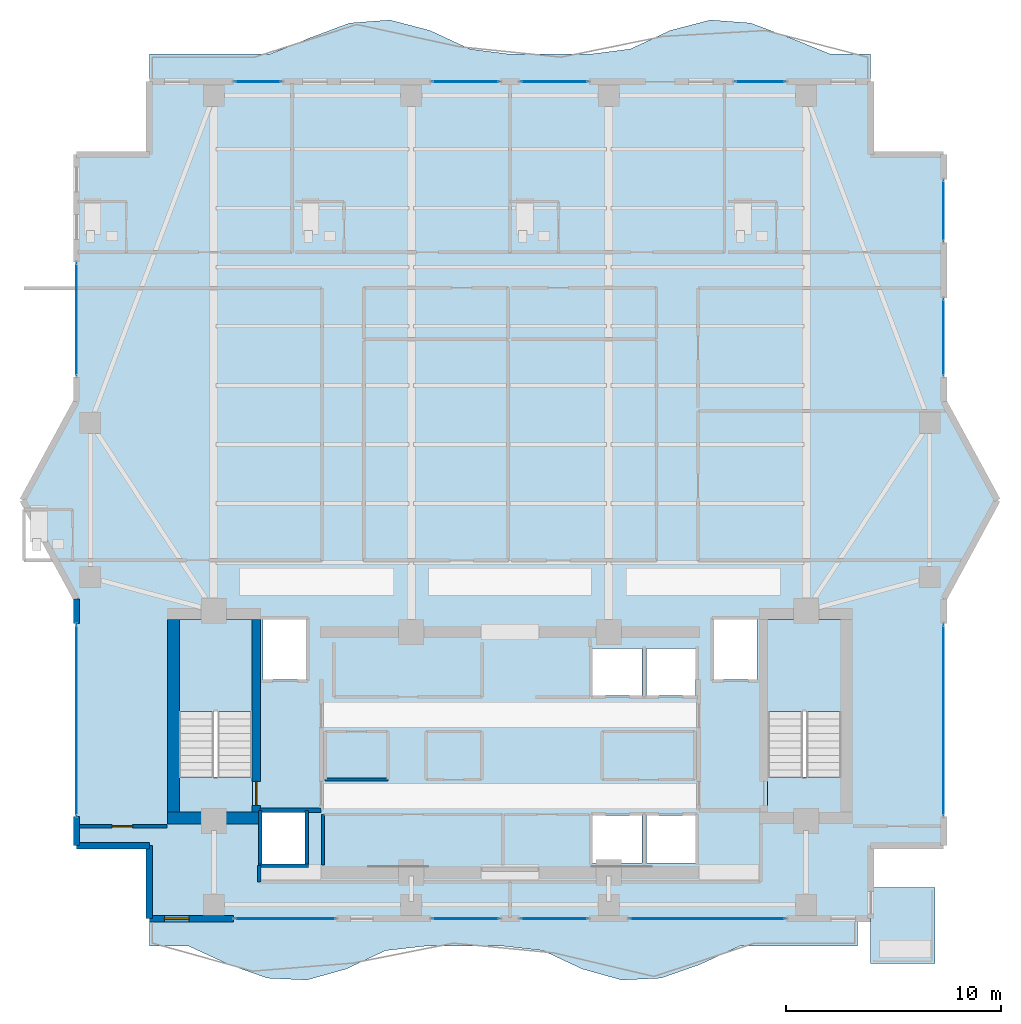
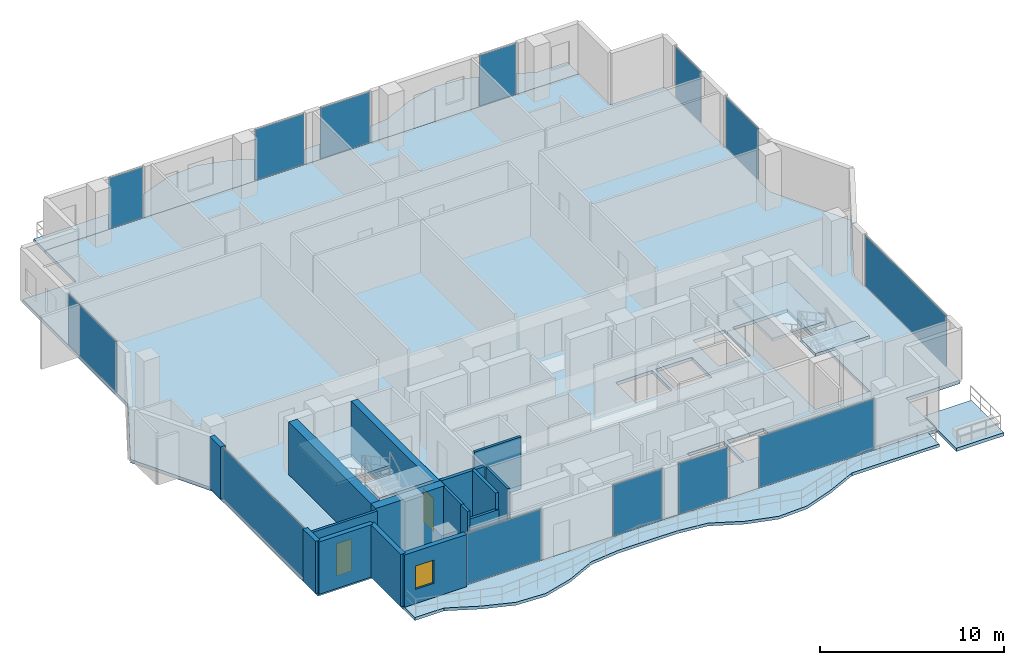
# One storey, part 18 of 25: 16 walls, 13 plates, 8 slabs, 2 doors, 1 window, 3 openings, 15 elements without a shape of their own.
"""IFC4 building model written with IfcOpenShell, lengths in metres."""

from ifc_helpers import new_model, si_unit, direction, frame, frame_2d, origin, origin_2d, place, context, subcontext, project, spatial, polyline, rectangle, outline, extrude, material, layer, layer_set, type_object, element, fill, aggregate, save


model = new_model("IFC4")

# Units and contexts
model_context = context("Model", 3, precision=1e-05, world=origin(), true_north=direction((0.0, 1.0)))
body_context = subcontext(model_context, "Body", "Model", "MODEL_VIEW")
ifc_project = project(units=[si_unit("LENGTHUNIT", "METRE"), si_unit("AREAUNIT", "SQUARE_METRE"), si_unit("VOLUMEUNIT", "CUBIC_METRE"), si_unit("PLANEANGLEUNIT", "RADIAN"), si_unit("MASSUNIT", "GRAM", prefix="KILO")], contexts=[model_context])

# Site, building, storey
site_placement = place(None, origin())
site = spatial("IfcSite", under=ifc_project, at=site_placement, CompositionType="ELEMENT")
building_placement = place(site_placement, origin())
building = spatial("IfcBuilding", under=site, at=building_placement, Name="Zuhayl Quay Hotel", CompositionType="ELEMENT")
storey_placement = place(building_placement, frame((0.0, 0.0, 258.14990234375)))
storey = spatial("IfcBuildingStorey", under=building, at=storey_placement, Name="L65", CompositionType="ELEMENT", Elevation=258.14990234375)

# Curtain wall, plate
ifc_material_1 = material(Name="Anodised Aluminium 6063-T6", Category="aluminium")
ifc_layer_1 = layer(ifc_material_1, 0.169921875, Name="Anodised Aluminium 6063-T6", Category="aluminium")
ifc_layer_set_1 = layer_set([ifc_layer_1], Name="Anodised Aluminium 6063-T6")
curtain_wall_type = type_object("IfcCurtainWallType", Name="CW_SYS_Z4", PredefinedType="USERDEFINED", material=ifc_layer_set_1)
curtain_wall_1_placement = place(storey_placement, origin())
curtain_wall_1 = element("IfcCurtainWall", 1, at=curtain_wall_1_placement, inside=storey, type_object=curtain_wall_type, Name="L65 Curtain Wall ENV_L65_E02_CW1", ObjectType="UNITISED CURTAIN WALL", PredefinedType="USERDEFINED")
ifc_material_2 = material(Name="Dark Ceramic-Fritted Solar Glass", Category="glass")
ifc_layer_2 = layer(ifc_material_2, 0.035888671875, Name="Dark Ceramic-Fritted Solar Glass", Category="glass")
ifc_layer_set_2 = layer_set([ifc_layer_2], Name="Dark Ceramic-Fritted Solar Glass")
plate_type = type_object("IfcPlateType", Name="PN_DARK_FRIT_Z1", PredefinedType="CURTAIN_PANEL", material=ifc_layer_set_2)
plate_1_placement = place(storey_placement, frame((-20.199951171875, 9.25, 0.054931640625), z_axis=(0.0, 0.0, 1.0), x_axis=(0.0, 1.0, 0.0)))
plate_1 = element("IfcPlate", 2, at=plate_1_placement, type_object=plate_type, Name="CW-Z4 panel 1.1", PredefinedType="CURTAIN_PANEL", context=body_context, shape_type="SweptSolid", body=[
    extrude(rectangle(XDim=8.8701171875, YDim=0.035888671875, at=origin_2d()), origin(), (0.0, 0.0, 1.0), 3.3701171875),
])
aggregate(curtain_wall_1, [plate_1])

curtain_wall_2_placement = place(storey_placement, origin())
curtain_wall_2 = element("IfcCurtainWall", 3, at=curtain_wall_2_placement, inside=storey, type_object=curtain_wall_type, Name="L65 Curtain Wall ENV_L65_E05_CW1", ObjectType="UNITISED CURTAIN WALL", PredefinedType="USERDEFINED")
plate_2_placement = place(storey_placement, frame((-20.199951171875, 27.925048828125, 0.054931640625), z_axis=(0.0, 0.0, 1.0), x_axis=(0.0, 1.0, 0.0)))
plate_2 = element("IfcPlate", 4, at=plate_2_placement, type_object=plate_type, Name="CW-Z4 panel 1.1", PredefinedType="CURTAIN_PANEL", context=body_context, shape_type="SweptSolid", body=[
    extrude(rectangle(XDim=5.219970703125, YDim=0.035888671875, at=origin_2d()), origin(), (0.0, 0.0, 1.0), 3.3701171875),
])
aggregate(curtain_wall_2, [plate_2])

curtain_wall_3_placement = place(storey_placement, origin())
curtain_wall_3 = element("IfcCurtainWall", 5, at=curtain_wall_3_placement, inside=storey, type_object=curtain_wall_type, Name="L65 Curtain Wall ENV_L65_N_CW1", ObjectType="UNITISED CURTAIN WALL", PredefinedType="USERDEFINED")
plate_3_placement = place(storey_placement, frame((-11.739990234375, 39.0, 0.054931640625), z_axis=(0.0, 0.0, 1.0), x_axis=(1.0, 0.0, 0.0)))
plate_3 = element("IfcPlate", 6, at=plate_3_placement, type_object=plate_type, Name="CW-Z4 panel 1.1", PredefinedType="CURTAIN_PANEL", context=body_context, shape_type="SweptSolid", body=[
    extrude(rectangle(XDim=2.14990234375, YDim=0.035888671875, at=origin_2d()), origin(), (0.0, 0.0, 1.0), 3.3701171875),
])
aggregate(curtain_wall_3, [plate_3])

curtain_wall_4_placement = place(storey_placement, origin())
curtain_wall_4 = element("IfcCurtainWall", 7, at=curtain_wall_4_placement, inside=storey, type_object=curtain_wall_type, Name="L65 Curtain Wall ENV_L65_N_CW2", ObjectType="UNITISED CURTAIN WALL", PredefinedType="USERDEFINED")
plate_4_placement = place(storey_placement, frame((-2.06494140625, 39.0, 0.054931640625), z_axis=(0.0, 0.0, 1.0), x_axis=(1.0, 0.0, 0.0)))
plate_4 = element("IfcPlate", 8, at=plate_4_placement, type_object=plate_type, Name="CW-Z4 panel 1.1", PredefinedType="CURTAIN_PANEL", context=body_context, shape_type="SweptSolid", body=[
    extrude(rectangle(XDim=3.10009765625, YDim=0.035888671875, at=origin_2d()), origin(), (0.0, 0.0, 1.0), 3.3701171875),
])
aggregate(curtain_wall_4, [plate_4])

curtain_wall_5_placement = place(storey_placement, origin())
curtain_wall_5 = element("IfcCurtainWall", 9, at=curtain_wall_5_placement, inside=storey, type_object=curtain_wall_type, Name="L65 Curtain Wall ENV_L65_N_CW3", ObjectType="UNITISED CURTAIN WALL", PredefinedType="USERDEFINED")
plate_5_placement = place(storey_placement, frame((2.06494140625, 39.0, 0.054931640625), z_axis=(0.0, 0.0, 1.0), x_axis=(1.0, 0.0, 0.0)))
plate_5 = element("IfcPlate", 10, at=plate_5_placement, type_object=plate_type, Name="CW-Z4 panel 1.1", PredefinedType="CURTAIN_PANEL", context=body_context, shape_type="SweptSolid", body=[
    extrude(rectangle(XDim=3.10009765625, YDim=0.035888671875, at=origin_2d()), origin(), (0.0, 0.0, 1.0), 3.3701171875),
])
aggregate(curtain_wall_5, [plate_5])

curtain_wall_6_placement = place(storey_placement, origin())
curtain_wall_6 = element("IfcCurtainWall", 11, at=curtain_wall_6_placement, inside=storey, type_object=curtain_wall_type, Name="L65 Curtain Wall ENV_L65_N_CW4", ObjectType="UNITISED CURTAIN WALL", PredefinedType="USERDEFINED")
plate_6_placement = place(storey_placement, frame((11.659912109375, 39.0, 0.054931640625), z_axis=(0.0, 0.0, 1.0), x_axis=(1.0, 0.0, 0.0)))
plate_6 = element("IfcPlate", 12, at=plate_6_placement, type_object=plate_type, Name="CW-Z4 panel 1.1", PredefinedType="CURTAIN_PANEL", context=body_context, shape_type="SweptSolid", body=[
    extrude(rectangle(XDim=2.31005859375, YDim=0.035888671875, at=origin_2d()), origin(), (0.0, 0.0, 1.0), 3.3701171875),
])
aggregate(curtain_wall_6, [plate_6])

curtain_wall_7_placement = place(storey_placement, origin())
curtain_wall_7 = element("IfcCurtainWall", 13, at=curtain_wall_7_placement, inside=storey, type_object=curtain_wall_type, Name="L65 Curtain Wall ENV_L65_E11_CW1", ObjectType="UNITISED CURTAIN WALL", PredefinedType="USERDEFINED")
plate_7_placement = place(storey_placement, frame((20.199951171875, 32.97509765625, 0.054931640625), z_axis=(0.0, 0.0, 1.0), x_axis=(0.0, -1.0, 0.0)))
plate_7 = element("IfcPlate", 14, at=plate_7_placement, type_object=plate_type, Name="CW-Z4 panel 1.1", PredefinedType="CURTAIN_PANEL", context=body_context, shape_type="SweptSolid", body=[
    extrude(rectangle(XDim=2.820068359375, YDim=0.035888671875, at=origin_2d()), origin(), (0.0, 0.0, 1.0), 3.3701171875),
])
aggregate(curtain_wall_7, [plate_7])

curtain_wall_8_placement = place(storey_placement, origin())
curtain_wall_8 = element("IfcCurtainWall", 15, at=curtain_wall_8_placement, inside=storey, type_object=curtain_wall_type, Name="L65 Curtain Wall ENV_L65_E11_CW2", ObjectType="UNITISED CURTAIN WALL", PredefinedType="USERDEFINED")
plate_8_placement = place(storey_placement, frame((20.199951171875, 27.090087890625, 0.054931640625), z_axis=(0.0, 0.0, 1.0), x_axis=(0.0, -1.0, 0.0)))
plate_8 = element("IfcPlate", 16, at=plate_8_placement, type_object=plate_type, Name="CW-Z4 panel 1.1", PredefinedType="CURTAIN_PANEL", context=body_context, shape_type="SweptSolid", body=[
    extrude(rectangle(XDim=3.550048828125, YDim=0.035888671875, at=origin_2d()), origin(), (0.0, 0.0, 1.0), 3.3701171875),
])
aggregate(curtain_wall_8, [plate_8])

curtain_wall_9_placement = place(storey_placement, origin())
curtain_wall_9 = element("IfcCurtainWall", 17, at=curtain_wall_9_placement, inside=storey, type_object=curtain_wall_type, Name="L65 Curtain Wall ENV_L65_E14_CW1", ObjectType="UNITISED CURTAIN WALL", PredefinedType="USERDEFINED")
plate_9_placement = place(storey_placement, frame((20.199951171875, 9.25, 0.054931640625), z_axis=(0.0, 0.0, 1.0), x_axis=(0.0, -1.0, 0.0)))
plate_9 = element("IfcPlate", 18, at=plate_9_placement, type_object=plate_type, Name="CW-Z4 panel 1.1", PredefinedType="CURTAIN_PANEL", context=body_context, shape_type="SweptSolid", body=[
    extrude(rectangle(XDim=8.8701171875, YDim=0.035888671875, at=origin_2d()), origin(), (0.0, 0.0, 1.0), 3.3701171875),
])
aggregate(curtain_wall_9, [plate_9])

curtain_wall_10_placement = place(storey_placement, origin())
curtain_wall_10 = element("IfcCurtainWall", 19, at=curtain_wall_10_placement, inside=storey, type_object=curtain_wall_type, Name="L65 Curtain Wall ENV_L65_S_CW1", ObjectType="UNITISED CURTAIN WALL", PredefinedType="USERDEFINED")
plate_10_placement = place(storey_placement, frame((9.199951171875, 0.0, 0.054931640625), z_axis=(0.0, 0.0, 1.0), x_axis=(-1.0, 0.0, 0.0)))
plate_10 = element("IfcPlate", 20, at=plate_10_placement, type_object=plate_type, Name="CW-Z4 panel 1.1", PredefinedType="CURTAIN_PANEL", context=body_context, shape_type="SweptSolid", body=[
    extrude(rectangle(XDim=7.22998046875, YDim=0.035888671875, at=origin_2d()), origin(), (0.0, 0.0, 1.0), 3.3701171875),
])
aggregate(curtain_wall_10, [plate_10])

curtain_wall_11_placement = place(storey_placement, origin())
curtain_wall_11 = element("IfcCurtainWall", 21, at=curtain_wall_11_placement, inside=storey, type_object=curtain_wall_type, Name="L65 Curtain Wall ENV_L65_S_CW2", ObjectType="UNITISED CURTAIN WALL", PredefinedType="USERDEFINED")
plate_11_placement = place(storey_placement, frame((2.06494140625, 0.0, 0.054931640625), z_axis=(0.0, 0.0, 1.0), x_axis=(-1.0, 0.0, 0.0)))
plate_11 = element("IfcPlate", 22, at=plate_11_placement, type_object=plate_type, Name="CW-Z4 panel 1.1", PredefinedType="CURTAIN_PANEL", context=body_context, shape_type="SweptSolid", body=[
    extrude(rectangle(XDim=3.10009765625, YDim=0.035888671875, at=origin_2d()), origin(), (0.0, 0.0, 1.0), 3.3701171875),
])
aggregate(curtain_wall_11, [plate_11])

curtain_wall_12_placement = place(storey_placement, origin())
curtain_wall_12 = element("IfcCurtainWall", 23, at=curtain_wall_12_placement, inside=storey, type_object=curtain_wall_type, Name="L65 Curtain Wall ENV_L65_S_CW3", ObjectType="UNITISED CURTAIN WALL", PredefinedType="USERDEFINED")
plate_12_placement = place(storey_placement, frame((-2.06494140625, 0.0, 0.054931640625), z_axis=(0.0, 0.0, 1.0), x_axis=(-1.0, 0.0, 0.0)))
plate_12 = element("IfcPlate", 24, at=plate_12_placement, type_object=plate_type, Name="CW-Z4 panel 1.1", PredefinedType="CURTAIN_PANEL", context=body_context, shape_type="SweptSolid", body=[
    extrude(rectangle(XDim=3.10009765625, YDim=0.035888671875, at=origin_2d()), origin(), (0.0, 0.0, 1.0), 3.3701171875),
])
aggregate(curtain_wall_12, [plate_12])

curtain_wall_13_placement = place(storey_placement, origin())
curtain_wall_13 = element("IfcCurtainWall", 25, at=curtain_wall_13_placement, inside=storey, type_object=curtain_wall_type, Name="L65 Curtain Wall ENV_L65_S_CW4", ObjectType="UNITISED CURTAIN WALL", PredefinedType="USERDEFINED")
plate_13_placement = place(storey_placement, frame((-10.4775390625, 0.0, 0.054931640625), z_axis=(0.0, 0.0, 1.0), x_axis=(-1.0, 0.0, 0.0)))
plate_13 = element("IfcPlate", 26, at=plate_13_placement, type_object=plate_type, Name="CW-Z4 panel 1.1", PredefinedType="CURTAIN_PANEL", context=body_context, shape_type="SweptSolid", body=[
    extrude(rectangle(XDim=4.675048828125, YDim=0.035888671875, at=origin_2d()), origin(), (0.0, 0.0, 1.0), 3.3701171875),
])
aggregate(curtain_wall_13, [plate_13])

# Slabs
ifc_material_3 = material(Name="Concrete C45/55", Category="concrete")
ifc_layer_3 = layer(ifc_material_3, 0.195068359375, Name="Concrete C45/55", Category="concrete")
ifc_layer_set_3 = layer_set([ifc_layer_3], Name="Concrete C45/55")
slab_type_1 = type_object("IfcSlabType", Name="SL_BALCONY_195", PredefinedType="FLOOR", material=ifc_layer_set_3)
slab_1_placement = place(storey_placement, frame((0.0, 0.0, -0.19482421875)))
element("IfcSlab", 27, at=slab_1_placement, inside=storey, type_object=slab_type_1, Name="L65 Exterior Rippling Balcony Slab North", PredefinedType="FLOOR", context=body_context, shape_type="SweptSolid", body=[
    extrude(outline(polyline([(-16.800048828125, 39.0), (16.800048828125, 39.0), (16.800048828125, 40.280029296875), (14.933349609375, 40.280029296875), (13.066650390625, 41.036376953125), (11.199951171875, 41.732421875), (9.333251953125, 41.872802734375), (7.466796875, 41.384765625), (5.60009765625, 40.519287109375), (3.7333984375, 40.280029296875), (1.86669921875, 40.280029296875), (0.0, 40.280029296875), (-1.86669921875, 40.519287109375), (-3.7333984375, 41.384765625), (-5.60009765625, 41.872802734375), (-7.466796875, 41.732421875), (-9.333251953125, 41.036376953125), (-11.199951171875, 40.280029296875), (-13.066650390625, 40.280029296875), (-14.933349609375, 40.280029296875), (-16.800048828125, 40.280029296875), (-16.800048828125, 39.0)])), origin(), (0.0, 0.0, 1.0), 0.19482421875),
])
slab_2_placement = place(storey_placement, frame((0.0, 0.0, -0.19482421875)))
element("IfcSlab", 28, at=slab_2_placement, inside=storey, type_object=slab_type_1, Name="L65 Exterior Rippling Balcony Slab South", PredefinedType="FLOOR", context=body_context, shape_type="SweptSolid", body=[
    extrude(outline(polyline([(-16.800048828125, -1.280029296875), (-14.966796875, -1.280029296875), (-13.13330078125, -2.12841796875), (-11.300048828125, -2.77099609375), (-9.466796875, -2.857421875), (-7.63330078125, -2.344482421875), (-5.800048828125, -1.48681640625), (-3.966796875, -1.280029296875), (-2.13330078125, -1.280029296875), (-0.300048828125, -1.280029296875), (1.533203125, -1.48681640625), (3.36669921875, -2.344482421875), (5.199951171875, -2.857421875), (7.033203125, -2.77099609375), (8.86669921875, -2.12841796875), (10.699951171875, -1.280029296875), (12.533203125, -1.280029296875), (14.36669921875, -1.280029296875), (16.199951171875, -1.280029296875), (16.199951171875, 0.0), (-16.800048828125, 0.0), (-16.800048828125, -1.280029296875)])), origin(), (0.0, 0.0, 1.0), 0.19482421875),
])
ifc_layer_4 = layer(ifc_material_3, 0.219970703125, Name="Concrete C45/55", Category="concrete")
ifc_layer_set_4 = layer_set([ifc_layer_4], Name="Concrete C45/55")
slab_type_2 = type_object("IfcSlabType", Name="SL_FLOOR_220", PredefinedType="FLOOR", material=ifc_layer_set_4)
slab_3_placement = place(storey_placement, frame((0.0, 0.0, -0.219970703125)))
element("IfcSlab", 29, at=slab_3_placement, inside=storey, type_object=slab_type_2, Name="L65 Structural Floor Slab", PredefinedType="FLOOR", context=body_context, shape_type="SweptSolid", body=[
    extrude(outline(polyline([(-16.800048828125, 0.0), (16.800048828125, 0.0), (16.800048828125, 3.39990234375), (20.199951171875, 3.39990234375), (20.199951171875, 14.89990234375), (22.699951171875, 19.5), (20.199951171875, 24.10009765625), (20.199951171875, 35.60009765625), (16.800048828125, 35.60009765625), (16.800048828125, 39.0), (-16.800048828125, 39.0), (-16.800048828125, 35.60009765625), (-20.199951171875, 35.60009765625), (-20.199951171875, 24.10009765625), (-22.699951171875, 19.5), (-20.199951171875, 14.89990234375), (-20.199951171875, 3.39990234375), (-16.800048828125, 3.39990234375), (-16.800048828125, 0.0)]), holes=[polyline([(-12.0, 4.949951171875), (-12.0, 13.949951171875), (-15.429931640625, 13.949951171875), (-15.429931640625, 4.949951171875), (-12.0, 4.949951171875)]), polyline([(15.429931640625, 4.949951171875), (15.429931640625, 13.949951171875), (12.0, 13.949951171875), (12.0, 4.949951171875), (15.429931640625, 4.949951171875)]), polyline([(-11.5, 11.14990234375), (-9.5, 11.14990234375), (-9.5, 13.949951171875), (-11.5, 13.949951171875), (-11.5, 11.14990234375)]), polyline([(9.5, 11.14990234375), (11.5, 11.14990234375), (11.5, 13.949951171875), (9.5, 13.949951171875), (9.5, 11.14990234375)]), polyline([(3.85009765625, 2.60009765625), (6.14990234375, 2.60009765625), (6.14990234375, 4.800048828125), (3.85009765625, 4.800048828125), (3.85009765625, 2.60009765625)]), polyline([(6.35009765625, 2.60009765625), (8.64990234375, 2.60009765625), (8.64990234375, 4.800048828125), (6.35009765625, 4.800048828125), (6.35009765625, 2.60009765625)]), polyline([(3.85009765625, 10.39990234375), (6.14990234375, 10.39990234375), (6.14990234375, 12.60009765625), (3.85009765625, 12.60009765625), (3.85009765625, 10.39990234375)]), polyline([(6.35009765625, 10.39990234375), (8.64990234375, 10.39990234375), (8.64990234375, 12.60009765625), (6.35009765625, 12.60009765625), (6.35009765625, 10.39990234375)]), polyline([(-11.550048828125, 2.550048828125), (-9.550048828125, 2.550048828125), (-9.550048828125, 4.949951171875), (-11.550048828125, 4.949951171875), (-11.550048828125, 2.550048828125)])]), origin(), (0.0, 0.0, 1.0), 0.219970703125),
])

# Stair, slabs
stair_type = type_object("IfcStairType", Name="ST_DOGLEG_TOWER", PredefinedType="HALF_TURN_STAIR", material=ifc_material_3)
stair_1_placement = place(storey_placement, origin())
stair_1 = element("IfcStair", 30, at=stair_1_placement, inside=storey, type_object=stair_type, Name="L65 Smokeproof Exit Stair ST1", PredefinedType="HALF_TURN_STAIR")
ifc_layer_5 = layer(ifc_material_3, 0.199951171875, Name="Concrete C45/55", Category="concrete")
ifc_layer_set_5 = layer_set([ifc_layer_5], Name="Concrete C45/55")
slab_type_3 = type_object("IfcSlabType", Name="SL_STAIR_LANDING_200", PredefinedType="LANDING", material=ifc_layer_set_5)
slab_4_placement = place(storey_placement, frame((0.0, 0.0, 1.650146484375)))
slab_4 = element("IfcSlab", 31, at=slab_4_placement, type_object=slab_type_3, Name="ST1 landing 1", PredefinedType="LANDING", context=body_context, shape_type="SweptSolid", body=[
    extrude(outline(polyline([(-12.0, 9.64990234375), (-12.0, 13.949951171875), (-15.429931640625, 13.949951171875), (-15.429931640625, 9.64990234375), (-12.0, 9.64990234375)])), origin(), (0.0, 0.0, 1.0), 0.199951171875),
])
slab_5_placement = place(storey_placement, frame((0.0, 0.0, 3.5)))
slab_5 = element("IfcSlab", 32, at=slab_5_placement, type_object=slab_type_3, Name="ST1 landing 2", PredefinedType="LANDING", context=body_context, shape_type="SweptSolid", body=[
    extrude(outline(polyline([(-12.0, 4.949951171875), (-12.0, 6.590087890625), (-15.429931640625, 6.590087890625), (-15.429931640625, 4.949951171875), (-12.0, 4.949951171875)])), origin(), (0.0, 0.0, 1.0), 0.2001953125),
])
aggregate(stair_1, [slab_4, slab_5])

stair_2_placement = place(storey_placement, origin())
stair_2 = element("IfcStair", 33, at=stair_2_placement, inside=storey, type_object=stair_type, Name="L65 Smokeproof Exit Stair ST2", PredefinedType="HALF_TURN_STAIR")
slab_6_placement = place(storey_placement, frame((0.0, 0.0, 1.650146484375)))
slab_6 = element("IfcSlab", 34, at=slab_6_placement, type_object=slab_type_3, Name="ST2 landing 1", PredefinedType="LANDING", context=body_context, shape_type="SweptSolid", body=[
    extrude(outline(polyline([(15.429931640625, 9.64990234375), (15.429931640625, 13.949951171875), (12.0, 13.949951171875), (12.0, 9.64990234375), (15.429931640625, 9.64990234375)])), origin(), (0.0, 0.0, 1.0), 0.199951171875),
])
slab_7_placement = place(storey_placement, frame((0.0, 0.0, 3.5)))
slab_7 = element("IfcSlab", 35, at=slab_7_placement, type_object=slab_type_3, Name="ST2 landing 2", PredefinedType="LANDING", context=body_context, shape_type="SweptSolid", body=[
    extrude(outline(polyline([(15.429931640625, 4.949951171875), (15.429931640625, 6.590087890625), (12.0, 6.590087890625), (12.0, 4.949951171875), (15.429931640625, 4.949951171875)])), origin(), (0.0, 0.0, 1.0), 0.2001953125),
])
aggregate(stair_2, [slab_6, slab_7])

# Slab
ifc_layer_6 = layer(ifc_material_3, 0.219970703125, Name="Concrete C45/55", Category="concrete")
ifc_layer_set_6 = layer_set([ifc_layer_6], Name="Concrete C45/55")
slab_type_4 = type_object("IfcSlabType", Name="SL_TERRACE_235", PredefinedType="FLOOR", material=ifc_layer_set_6)
slab_8_placement = place(storey_placement, frame((0.0, 0.0, -0.219970703125)))
element("IfcSlab", 36, at=slab_8_placement, inside=storey, type_object=slab_type_4, Name="L65 Exterior Sky-Terrace Slab L65_SPIRAL_SE", PredefinedType="FLOOR", context=body_context, shape_type="SweptSolid", body=[
    extrude(outline(polyline([(16.800048828125, -2.10009765625), (19.800048828125, -2.10009765625), (19.800048828125, 1.449951171875), (16.800048828125, 1.449951171875), (16.800048828125, -2.10009765625)])), origin(), (0.0, 0.0, 1.0), 0.219970703125),
])

# Walls
ifc_material_4 = material(Name="Concrete C50/60", Category="concrete")
ifc_layer_7 = layer(ifc_material_4, 0.550048828125, Name="Concrete C50/60", Category="concrete")
ifc_layer_set_7 = layer_set([ifc_layer_7], Name="Concrete C50/60")
wall_type_1 = type_object("IfcWallType", Name="WL_CORE_550", PredefinedType="SHEAR", material=ifc_layer_set_7)
wall_1_placement = place(storey_placement, frame((-15.68505859375, 4.969970703125, 0.0), z_axis=(0.0, 0.0, 1.0), x_axis=(0.0, 1.0, 0.0)))
element("IfcWall", 37, at=wall_1_placement, inside=storey, type_object=wall_type_1, Name="L65 Core Shear Wall CW_W", PredefinedType="SHEAR", context=body_context, shape_type="SweptSolid", body=[
    extrude(rectangle(XDim=8.9599609375, YDim=0.550048828125, at=frame_2d((4.47998046875, 0.0))), origin(), (0.0, 0.0, 1.0), 3.510009765625),
])
wall_2_placement = place(storey_placement, frame((-15.9599609375, 4.695068359375, 0.0), z_axis=(0.0, 0.0, 1.0), x_axis=(1.0, 0.0, 0.0)))
element("IfcWall", 38, at=wall_2_placement, inside=storey, type_object=wall_type_1, Name="L65 Core Shear Wall CW_SW", PredefinedType="SHEAR", context=body_context, shape_type="SweptSolid", body=[
    extrude(rectangle(XDim=4.35986328125, YDim=0.550048828125, at=frame_2d((2.179931640625, 0.0))), origin(), (0.0, 0.0, 1.0), 3.510009765625),
])
ifc_material_5 = material(Name="Precast concrete C45/55", Category="concrete")
ifc_layer_8 = layer(ifc_material_5, 0.300048828125, Name="Precast concrete C45/55", Category="concrete")
ifc_layer_set_8 = layer_set([ifc_layer_8], Name="Precast concrete C45/55")
wall_type_2 = type_object("IfcWallType", Name="WL_EXT_300", PredefinedType="STANDARD", material=ifc_layer_set_8)
wall_3_placement = place(storey_placement, frame((-16.800048828125, 3.39990234375, 0.0), z_axis=(0.0, 0.0, 1.0), x_axis=(-1.0, 0.0, 0.0)))
element("IfcWall", 39, at=wall_3_placement, inside=storey, type_object=wall_type_2, Name="L65 Exterior Precast Wall ENV_L65_EW01", PredefinedType="STANDARD", context=body_context, shape_type="SweptSolid", body=[
    extrude(rectangle(XDim=3.39990234375, YDim=0.300048828125, at=frame_2d((1.699951171875, 0.0))), origin(), (0.0, 0.0, 1.0), 3.47998046875),
])
wall_4_placement = place(storey_placement, frame((-20.199951171875, 3.39990234375, 0.0), z_axis=(0.0, 0.0, 1.0), x_axis=(0.0, 1.0, 0.0)))
element("IfcWall", 40, at=wall_4_placement, inside=storey, type_object=wall_type_2, Name="L65 Exterior Precast Wall ENV_L65_E02_EW1", PredefinedType="STANDARD", context=body_context, shape_type="SweptSolid", body=[
    extrude(rectangle(XDim=1.35009765625, YDim=0.300048828125, at=frame_2d((0.675048828125, 0.0))), origin(), (0.0, 0.0, 1.0), 3.47998046875),
])
wall_5_placement = place(storey_placement, frame((-20.199951171875, 13.75, 0.0), z_axis=(0.0, 0.0, 1.0), x_axis=(0.0, 1.0, 0.0)))
element("IfcWall", 41, at=wall_5_placement, inside=storey, type_object=wall_type_2, Name="L65 Exterior Precast Wall ENV_L65_E02_EW2", PredefinedType="STANDARD", context=body_context, shape_type="SweptSolid", body=[
    extrude(rectangle(XDim=1.14990234375, YDim=0.300048828125, at=frame_2d((0.574951171875, 0.0))), origin(), (0.0, 0.0, 1.0), 3.47998046875),
])

# Wall, opening, window
wall_6_placement = place(storey_placement, frame((-12.8798828125, 0.0, 0.0), z_axis=(0.0, 0.0, 1.0), x_axis=(-1.0, 0.0, 0.0)))
wall_6 = element("IfcWall", 42, at=wall_6_placement, inside=storey, type_object=wall_type_2, Name="L65 Exterior Precast Wall ENV_L65_S_EW5", PredefinedType="STANDARD", context=body_context, shape_type="SweptSolid", body=[
    extrude(rectangle(XDim=3.920166015625, YDim=0.300048828125, at=frame_2d((1.9599609375, 0.0))), origin(), (0.0, 0.0, 1.0), 3.47998046875),
])
opening_1_placement = place(wall_6_placement, frame((2.074951171875, 0.0, 0.949951171875)))
opening_1 = element("IfcOpeningElement", 43, at=opening_1_placement, cuts=wall_6, Name="Opening W01N", PredefinedType="OPENING", context=body_context, shape_type="SweptSolid", body=[
    extrude(rectangle(XDim=1.14990234375, YDim=1.550048828125, at=frame_2d((0.574951171875, 0.77490234375))), frame((0.0, 0.159912109375, 0.0), z_axis=(0.0, -1.0, 0.0), x_axis=(1.0, 0.0, 0.0)), (0.0, 0.0, 1.0), 0.320068359375),
])
window_type = type_object("IfcWindowType", Name="WN_NOTCH_1350", PartitioningType="SINGLE_PANEL", PredefinedType="WINDOW", material=ifc_material_2)
window_placement = place(opening_1_placement, origin())
window = element("IfcWindow", 44, at=window_placement, inside=storey, type_object=window_type, Name="L65 Operable Facade Window 5-1", OverallHeight=1.550048828125, OverallWidth=1.14990234375, PartitioningType="SINGLE_PANEL", PredefinedType="WINDOW", context=body_context, shape_type="SweptSolid", body=[
    extrude(rectangle(XDim=1.14990234375, YDim=1.550048828125, at=frame_2d((0.574951171875, 0.77490234375))), frame((0.0, 0.030029296875, 0.0), z_axis=(0.0, -1.0, 0.0), x_axis=(1.0, 0.0, 0.0)), (0.0, 0.0, 1.0), 0.06005859375),
])
fill(opening_1, window)

# Walls
wall_7_placement = place(storey_placement, frame((-16.800048828125, 0.0, 0.0), z_axis=(0.0, 0.0, 1.0), x_axis=(0.0, 1.0, 0.0)))
element("IfcWall", 45, at=wall_7_placement, inside=storey, type_object=wall_type_2, Name="L65 Exterior Precast Wall ENV_L65_EW18", PredefinedType="STANDARD", context=body_context, shape_type="SweptSolid", body=[
    extrude(rectangle(XDim=3.39990234375, YDim=0.300048828125, at=frame_2d((1.699951171875, 0.0))), origin(), (0.0, 0.0, 1.0), 3.47998046875),
])
ifc_material_6 = material(Name="Acoustic Gypsum Partition STC-58")
ifc_layer_9 = layer(ifc_material_6, 0.14990234375, Name="Acoustic Gypsum Partition STC-58")
ifc_layer_set_9 = layer_set([ifc_layer_9], Name="Acoustic Gypsum Partition STC-58")
wall_type_3 = type_object("IfcWallType", Name="WL_PART_150", PredefinedType="PARTITIONING", material=ifc_layer_set_9)
wall_8_placement = place(storey_placement, frame((-8.7099609375, 2.489990234375, 0.0), z_axis=(0.0, 0.0, 1.0), x_axis=(0.0, 1.0, 0.0)))
element("IfcWall", 46, at=wall_8_placement, inside=storey, type_object=wall_type_3, Name="L65 Partition IW_L65_FMP_SW_W", PredefinedType="PARTITIONING", context=body_context, shape_type="SweptSolid", body=[
    extrude(rectangle(XDim=2.3701171875, YDim=0.14990234375, at=frame_2d((1.18505859375, 0.0))), origin(), (0.0, 0.0, 1.0), 3.47998046875),
])
wall_9_placement = place(storey_placement, frame((-8.610107421875, 6.47998046875, 0.0), z_axis=(0.0, 0.0, 1.0), x_axis=(1.0, 0.0, 0.0)))
element("IfcWall", 47, at=wall_9_placement, inside=storey, type_object=wall_type_3, Name="L65 Partition IW_L65_CORE_HK_S", PredefinedType="PARTITIONING", context=body_context, shape_type="SweptSolid", body=[
    extrude(rectangle(XDim=2.920166015625, YDim=0.14990234375, at=frame_2d((1.4599609375, 0.0))), origin(), (0.0, 0.0, 1.0), 3.47998046875),
])
wall_10_placement = place(storey_placement, frame((-11.679931640625, 1.719970703125, 0.0), z_axis=(0.0, 0.0, 1.0), x_axis=(0.0, 1.0, 0.0)))
element("IfcWall", 48, at=wall_10_placement, inside=storey, type_object=wall_type_3, Name="L65 Partition IW_L65_Z4_SUN_SW_IN", PredefinedType="PARTITIONING", context=body_context, shape_type="SweptSolid", body=[
    extrude(rectangle(XDim=0.75, YDim=0.14990234375, at=frame_2d((0.375, 0.0))), origin(), (0.0, 0.0, 1.0), 3.47998046875),
])

# Wall, opening, door
ifc_layer_10 = layer(ifc_material_6, 0.159912109375, Name="Acoustic Gypsum Partition STC-58")
ifc_layer_set_10 = layer_set([ifc_layer_10], Name="Acoustic Gypsum Partition STC-58")
wall_type_4 = type_object("IfcWallType", Name="WL_PART_CORR_160", PredefinedType="PARTITIONING", material=ifc_layer_set_10)
wall_11_placement = place(storey_placement, frame((-20.139892578125, 4.300048828125, 0.0), z_axis=(0.0, 0.0, 1.0), x_axis=(1.0, 0.0, 0.0)))
wall_11 = element("IfcWall", 49, at=wall_11_placement, inside=storey, type_object=wall_type_4, Name="L65 Partition IW_L65_Z4_SUN_SW_N", PredefinedType="PARTITIONING", context=body_context, shape_type="SweptSolid", body=[
    extrude(rectangle(XDim=4.159912109375, YDim=0.159912109375, at=frame_2d((2.080078125, 0.0))), origin(), (0.0, 0.0, 1.0), 3.47998046875),
])
opening_2_placement = place(wall_11_placement, frame((1.60498046875, 0.0, 0.0)))
opening_2 = element("IfcOpeningElement", 50, at=opening_2_placement, cuts=wall_11, Name="Opening D03", PredefinedType="OPENING", context=body_context, shape_type="SweptSolid", body=[
    extrude(rectangle(XDim=0.949951171875, YDim=2.14990234375, at=frame_2d((0.47509765625, 1.074951171875))), frame((0.0, 0.08984375, 0.0), z_axis=(0.0, -1.0, 0.0), x_axis=(1.0, 0.0, 0.0)), (0.0, 0.0, 1.0), 0.179931640625),
])
ifc_material_7 = material(Name="Solid Walnut Acoustic Fire Door")
door_type_1 = type_object("IfcDoorType", Name="DR_SUITE_950", OperationType="NOTDEFINED", PredefinedType="DOOR", material=ifc_material_7)
door_1_placement = place(opening_2_placement, origin())
door_1 = element("IfcDoor", 51, at=door_1_placement, inside=storey, type_object=door_type_1, Name="L65 Sunset Salon SW Door", OperationType="SINGLE_SWING_RIGHT", OverallHeight=2.14990234375, OverallWidth=0.949951171875, PredefinedType="DOOR", context=body_context, shape_type="SweptSolid", body=[
    extrude(rectangle(XDim=0.949951171875, YDim=2.14990234375, at=frame_2d((0.47509765625, 1.074951171875))), frame((0.0, 0.02490234375, 0.0), z_axis=(0.0, -1.0, 0.0), x_axis=(1.0, 0.0, 0.0)), (0.0, 0.0, 1.0), 0.050048828125),
])
fill(opening_2, door_1)

# Walls
ifc_material_8 = material(Name="Gypsum Fireboard Assembly EI-90")
ifc_layer_11 = layer(ifc_material_8, 0.1650390625, Name="Gypsum Fireboard Assembly EI-90")
ifc_layer_set_11 = layer_set([ifc_layer_11], Name="Gypsum Fireboard Assembly EI-90")
wall_type_5 = type_object("IfcWallType", Name="WL_PART_SHAFT_160", PredefinedType="PARTITIONING", material=ifc_layer_set_11)
wall_12_placement = place(storey_placement, frame((-11.6298828125, 2.469970703125, 0.0), z_axis=(0.0, 0.0, 1.0), x_axis=(0.0, 1.0, 0.0)))
element("IfcWall", 52, at=wall_12_placement, inside=storey, type_object=wall_type_5, Name="L65 Partition IW_L65_RISER_W", PredefinedType="PARTITIONING", context=body_context, shape_type="SweptSolid", body=[
    extrude(rectangle(XDim=2.580078125, YDim=0.1650390625, at=frame_2d((1.2900390625, 0.0))), origin(), (0.0, 0.0, 1.0), 3.47998046875),
])
wall_13_placement = place(storey_placement, frame((-11.7099609375, 2.469970703125, 0.0), z_axis=(0.0, 0.0, 1.0), x_axis=(1.0, 0.0, 0.0)))
element("IfcWall", 53, at=wall_13_placement, inside=storey, type_object=wall_type_5, Name="L65 Partition IW_L65_RISER_S", PredefinedType="PARTITIONING", context=body_context, shape_type="SweptSolid", body=[
    extrude(rectangle(XDim=2.31005859375, YDim=0.1650390625, at=frame_2d((1.155029296875, 0.0))), origin(), (0.0, 0.0, 1.0), 2.380126953125),
])
ifc_layer_12 = layer(ifc_material_8, 0.179931640625, Name="Gypsum Fireboard Assembly EI-90")
ifc_layer_set_12 = layer_set([ifc_layer_12], Name="Gypsum Fireboard Assembly EI-90")
wall_type_6 = type_object("IfcWallType", Name="WL_PART_SHAFT_180", PredefinedType="PARTITIONING", material=ifc_layer_set_12)
wall_14_placement = place(storey_placement, frame((-9.469970703125, 2.449951171875, 0.0), z_axis=(0.0, 0.0, 1.0), x_axis=(0.0, 1.0, 0.0)))
element("IfcWall", 54, at=wall_14_placement, inside=storey, type_object=wall_type_6, Name="L65 Partition IW_L65_RISER_E", PredefinedType="PARTITIONING", context=body_context, shape_type="SweptSolid", body=[
    extrude(rectangle(XDim=2.60009765625, YDim=0.179931640625, at=frame_2d((1.300048828125, 0.0))), origin(), (0.0, 0.0, 1.0), 3.47998046875),
])
ifc_material_9 = material(Name="Gypsum Fireboard Assembly EI-120")
ifc_layer_13 = layer(ifc_material_9, 0.199951171875, Name="Gypsum Fireboard Assembly EI-120")
ifc_layer_set_13 = layer_set([ifc_layer_13], Name="Gypsum Fireboard Assembly EI-120")
wall_type_7 = type_object("IfcWallType", Name="WL_PART_SHAFT_200", PredefinedType="PARTITIONING", material=ifc_layer_set_13)
wall_15_placement = place(storey_placement, frame((-11.64990234375, 5.050048828125, 0.0), z_axis=(0.0, 0.0, 1.0), x_axis=(1.0, 0.0, 0.0)))
element("IfcWall", 55, at=wall_15_placement, inside=storey, type_object=wall_type_7, Name="L65 Partition IW_L65_FSAE_W_S", PredefinedType="PARTITIONING", context=body_context, shape_type="SweptSolid", body=[
    extrude(rectangle(XDim=2.849853515625, YDim=0.199951171875, at=frame_2d((1.4248046875, 0.0))), origin(), (0.0, 0.0, 1.0), 3.47998046875),
])

# Wall, opening, door
ifc_material_10 = material(Name="Concrete C60/75", Category="concrete")
ifc_layer_14 = layer(ifc_material_10, 0.39990234375, Name="Concrete C60/75", Category="concrete")
ifc_layer_set_14 = layer_set([ifc_layer_14], Name="Concrete C60/75")
wall_type_8 = type_object("IfcWallType", Name="WL_STAIR_400", PredefinedType="SHEAR", material=ifc_layer_set_14)
wall_16_placement = place(storey_placement, frame((-11.820068359375, 4.969970703125, 0.0), z_axis=(0.0, 0.0, 1.0), x_axis=(0.0, 1.0, 0.0)))
wall_16 = element("IfcWall", 56, at=wall_16_placement, inside=storey, type_object=wall_type_8, Name="L65 Core Shear Wall SW_ST1", PredefinedType="SHEAR", context=body_context, shape_type="SweptSolid", body=[
    extrude(rectangle(XDim=8.9599609375, YDim=0.39990234375, at=frame_2d((4.47998046875, 0.0))), origin(), (0.0, 0.0, 1.0), 3.510009765625),
])
opening_3_placement = place(wall_16_placement, frame((0.31005859375, 0.0, 0.0)))
opening_3 = element("IfcOpeningElement", 57, at=opening_3_placement, cuts=wall_16, Name="Opening D01", PredefinedType="OPENING", context=body_context, shape_type="SweptSolid", body=[
    extrude(rectangle(XDim=1.1201171875, YDim=2.219970703125, at=frame_2d((0.56005859375, 1.10986328125))), frame((0.0, 0.2099609375, 0.0), z_axis=(0.0, -1.0, 0.0), x_axis=(1.0, 0.0, 0.0)), (0.0, 0.0, 1.0), 0.419921875),
])
ifc_material_11 = material(Name="Steel ASTM A992 Grade 50", Category="steel")
door_type_2 = type_object("IfcDoorType", Name="DR_STAIR_90_1100", OperationType="NOTDEFINED", PredefinedType="DOOR", material=ifc_material_11)
door_2_placement = place(opening_3_placement, origin())
door_2 = element("IfcDoor", 58, at=door_2_placement, inside=storey, type_object=door_type_2, Name="L65 Smokeproof Exit Stair ST1 Door", OperationType="SINGLE_SWING_LEFT", OverallHeight=2.219970703125, OverallWidth=1.1201171875, PredefinedType="DOOR", context=body_context, shape_type="SweptSolid", body=[
    extrude(rectangle(XDim=1.1201171875, YDim=2.219970703125, at=frame_2d((0.56005859375, 1.10986328125))), frame((0.0, 0.02490234375, 0.0), z_axis=(0.0, -1.0, 0.0), x_axis=(1.0, 0.0, 0.0)), (0.0, 0.0, 1.0), 0.050048828125),
])
fill(opening_3, door_2)

save(model, "model.ifc")
